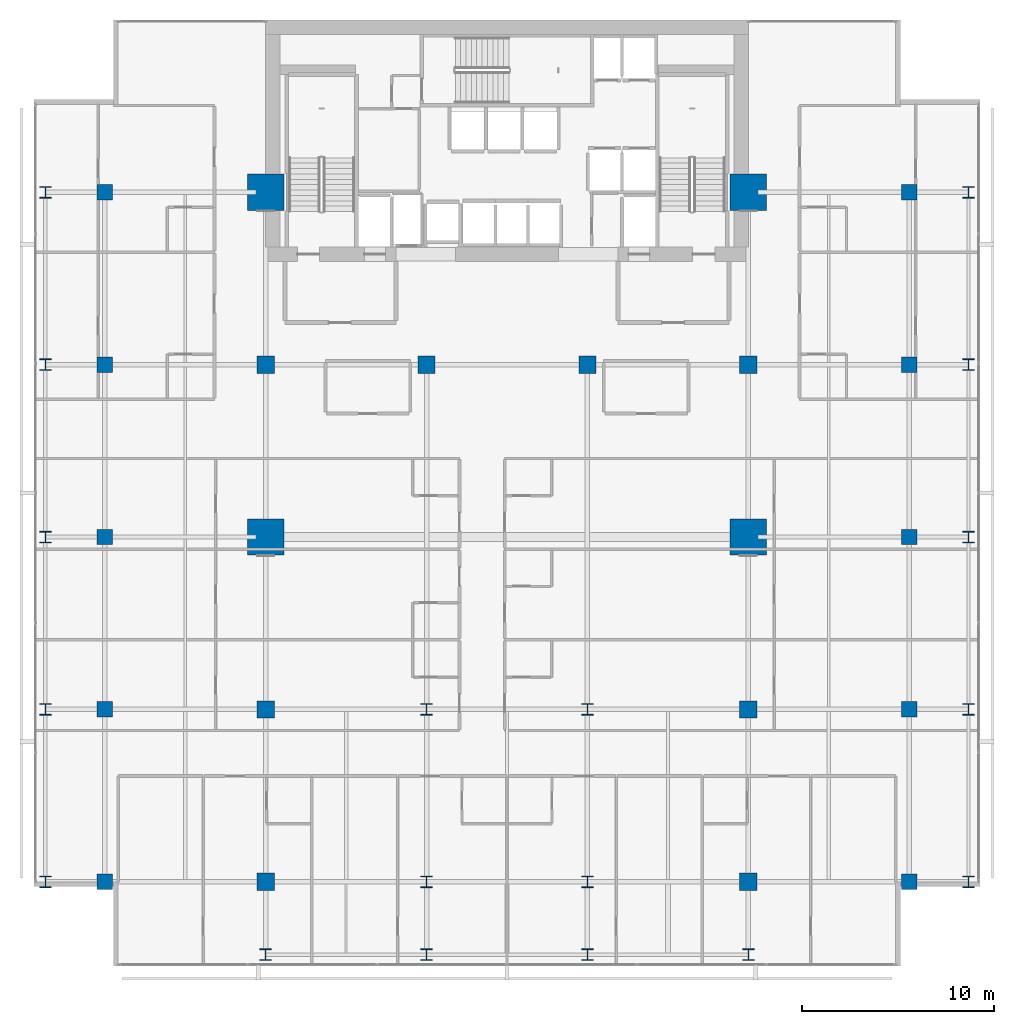
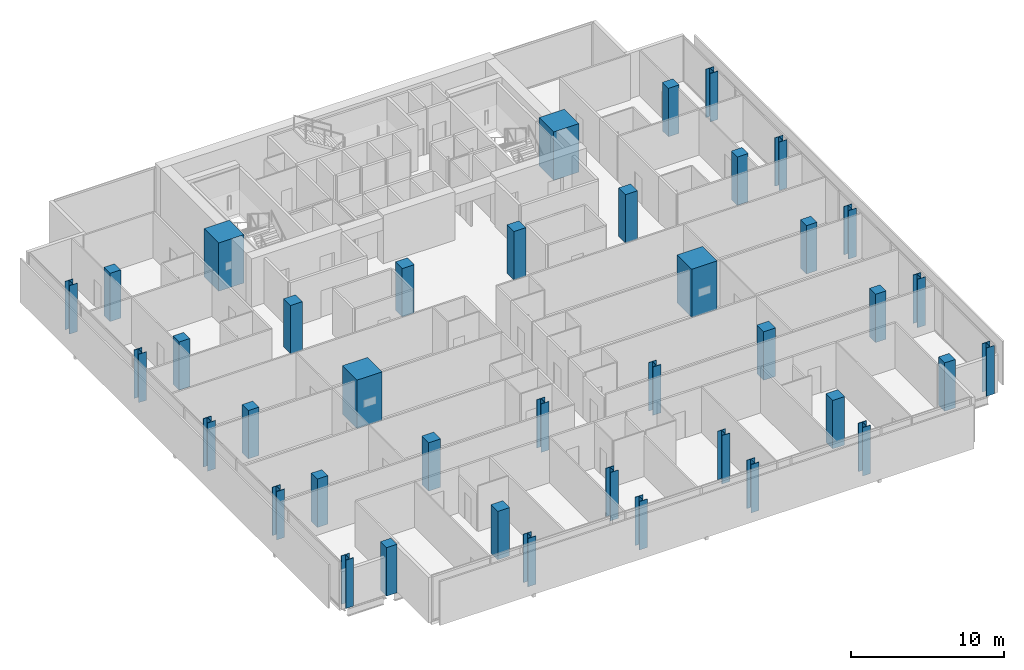
# One storey, part 1 of 33: 40 columns.
"""IFC4 building model written with IfcOpenShell, lengths in metres."""

from ifc_helpers import new_model, si_unit, direction, frame, origin, origin_2d, place, context, subcontext, project, spatial, rectangle, i_section, extrude, material, material_profile, profile_set, type_object, element, save


model = new_model("IFC4")

# Units and contexts
model_context = context("Model", 3, precision=1e-05, world=origin(), true_north=direction((0.0, 1.0)))
body_context = subcontext(model_context, "Body", "Model", "MODEL_VIEW")
ifc_project = project(units=[si_unit("LENGTHUNIT", "METRE"), si_unit("AREAUNIT", "SQUARE_METRE"), si_unit("VOLUMEUNIT", "CUBIC_METRE"), si_unit("PLANEANGLEUNIT", "RADIAN"), si_unit("MASSUNIT", "GRAM", prefix="KILO")], contexts=[model_context])

# Site, building, storey
site_placement = place(None, origin())
site = spatial("IfcSite", under=ifc_project, at=site_placement, CompositionType="ELEMENT")
building_placement = place(site_placement, origin())
building = spatial("IfcBuilding", under=site, at=building_placement, Name="Maruvema Waterfront Hotel and Observation Tower", CompositionType="ELEMENT")
storey_placement = place(building_placement, frame((0.0, 0.0, 142.800048828125)))
storey = spatial("IfcBuildingStorey", under=building, at=storey_placement, Name="L34", CompositionType="ELEMENT", Elevation=142.800048828125)

# Columns
ifc_material_1 = material(Name="Concrete C80/95", Category="concrete")
ifc_material_profile_1 = material_profile(ifc_material_1, rectangle(XDim=1.89990234375, YDim=1.89990234375, at=origin_2d()), Name="MC1900x1900")
ifc_profile_set_1 = profile_set([ifc_material_profile_1], Name="Concrete C80/95")
column_type_1 = type_object("IfcColumnType", Name="Continuous Mega-Column MC1900x1900", PredefinedType="COLUMN", material=ifc_profile_set_1)
for number, where, z_axis, x_axis, name in (
    (1, (25.199951171875, 27.0, 0.0), (0.0, 0.0, 1.0), (1.0, 0.0, 0.0), "L34 Continuous Mega-Column MC-01"),
    (2, (50.39990234375, 27.0, 0.0), (0.0, 0.0, 1.0), (1.0, 0.0, 0.0), "L34 Continuous Mega-Column MC-02"),
    (3, (25.199951171875, 45.0, 0.0), (0.0, 0.0, 1.0), (1.0, 0.0, 0.0), "L34 Continuous Mega-Column MC-03"),
    (4, (50.39990234375, 45.0, 0.0), (0.0, 0.0, 1.0), (1.0, 0.0, 0.0), "L34 Continuous Mega-Column MC-04"),
):
    element("IfcColumn", number, at=place(storey_placement, frame(where, z_axis=z_axis, x_axis=x_axis)), inside=storey, type_object=column_type_1, Name=name, PredefinedType="COLUMN", context=body_context, shape_type="SweptSolid", body=[
        extrude(rectangle(XDim=1.89990234375, YDim=1.89990234375, at=origin_2d()), origin(), (0.0, 0.0, 1.0), 3.849853515625),
    ])
ifc_material_2 = material(Name="Concrete C60/75", Category="concrete")
ifc_material_profile_2 = material_profile(ifc_material_2, rectangle(XDim=0.800048828125, YDim=0.800048828125, at=origin_2d()), Name="RC800x800")
ifc_profile_set_2 = profile_set([ifc_material_profile_2], Name="Concrete C60/75")
column_type_2 = type_object("IfcColumnType", Name="Reinforced Concrete Column RC800x800", PredefinedType="COLUMN", material=ifc_profile_set_2)
for number, where, z_axis, x_axis, name in (
    (5, (16.800048828125, 9.0, 0.0), (0.0, 0.0, 1.0), (1.0, 0.0, 0.0), "L34 Column C-3Y9"),
    (6, (58.800048828125, 9.0, 0.0), (0.0, 0.0, 1.0), (1.0, 0.0, 0.0), "L34 Column C-8Y9"),
    (7, (16.800048828125, 18.0, 0.0), (0.0, 0.0, 1.0), (1.0, 0.0, 0.0), "L34 Column C-3Y18"),
    (8, (58.800048828125, 18.0, 0.0), (0.0, 0.0, 1.0), (1.0, 0.0, 0.0), "L34 Column C-8Y18"),
    (9, (16.800048828125, 27.0, 0.0), (0.0, 0.0, 1.0), (1.0, 0.0, 0.0), "L34 Column C-3Y27"),
    (10, (58.800048828125, 27.0, 0.0), (0.0, 0.0, 1.0), (1.0, 0.0, 0.0), "L34 Column C-8Y27"),
    (11, (16.800048828125, 36.0, 0.0), (0.0, 0.0, 1.0), (1.0, 0.0, 0.0), "L34 Column C-3Y36"),
    (12, (58.800048828125, 36.0, 0.0), (0.0, 0.0, 1.0), (1.0, 0.0, 0.0), "L34 Column C-8Y36"),
    (13, (16.800048828125, 45.0, 0.0), (0.0, 0.0, 1.0), (1.0, 0.0, 0.0), "L34 Column C-3Y45"),
    (14, (58.800048828125, 45.0, 0.0), (0.0, 0.0, 1.0), (1.0, 0.0, 0.0), "L34 Column C-8Y45"),
):
    element("IfcColumn", number, at=place(storey_placement, frame(where, z_axis=z_axis, x_axis=x_axis)), inside=storey, type_object=column_type_2, Name=name, PredefinedType="COLUMN", context=body_context, shape_type="SweptSolid", body=[
        extrude(rectangle(XDim=0.800048828125, YDim=0.800048828125, at=origin_2d()), origin(), (0.0, 0.0, 1.0), 3.849853515625),
    ])
ifc_material_3 = material(Name="Concrete C60/75", Category="concrete")
ifc_material_profile_3 = material_profile(ifc_material_3, rectangle(XDim=0.89990234375, YDim=0.89990234375, at=origin_2d()), Name="RC900x900")
ifc_profile_set_3 = profile_set([ifc_material_profile_3], Name="Concrete C60/75")
column_type_3 = type_object("IfcColumnType", Name="Reinforced Concrete Column RC900x900", PredefinedType="COLUMN", material=ifc_profile_set_3)
for number, where, z_axis, x_axis, name in (
    (15, (25.199951171875, 36.0, 0.0), (0.0, 0.0, 1.0), (1.0, 0.0, 0.0), "L34 Column C-4E"),
    (16, (33.60009765625, 36.0, 0.0), (0.0, 0.0, 1.0), (1.0, 0.0, 0.0), "L34 Column C-5E"),
    (17, (42.0, 36.0, 0.0), (0.0, 0.0, 1.0), (1.0, 0.0, 0.0), "L34 Column C-6E"),
    (18, (50.39990234375, 36.0, 0.0), (0.0, 0.0, 1.0), (1.0, 0.0, 0.0), "L34 Column C-7E"),
    (19, (25.199951171875, 18.0, 0.0), (0.0, 0.0, 1.0), (1.0, 0.0, 0.0), "L34 Column C-4C"),
    (20, (50.39990234375, 18.0, 0.0), (0.0, 0.0, 1.0), (1.0, 0.0, 0.0), "L34 Column C-7C"),
    (21, (25.199951171875, 9.0, 0.0), (0.0, 0.0, 1.0), (1.0, 0.0, 0.0), "L34 Column C-4B"),
    (22, (50.39990234375, 9.0, 0.0), (0.0, 0.0, 1.0), (1.0, 0.0, 0.0), "L34 Column C-7B"),
):
    element("IfcColumn", number, at=place(storey_placement, frame(where, z_axis=z_axis, x_axis=x_axis)), inside=storey, type_object=column_type_3, Name=name, PredefinedType="COLUMN", context=body_context, shape_type="SweptSolid", body=[
        extrude(rectangle(XDim=0.89990234375, YDim=0.89990234375, at=origin_2d()), origin(), (0.0, 0.0, 1.0), 3.849853515625),
    ])
ifc_material_4 = material(Name="Steel ABNT NBR 7007 AR 415 (ASTM A572 Grade 50)", Category="steel")
ifc_material_profile_4 = material_profile(ifc_material_4, i_section(OverallWidth=0.60009765625, OverallDepth=0.60009765625, WebThickness=0.02490234375, FlangeThickness=0.0380859375, at=origin_2d()), Name="CVS600x317")
ifc_profile_set_4 = profile_set([ifc_material_profile_4], Name="Steel ABNT NBR 7007 AR 415 (ASTM A572 Grade 50)")
column_type_4 = type_object("IfcColumnType", Name="Structural Steel Column CVS600x317", PredefinedType="COLUMN", material=ifc_profile_set_4)
for number, where, z_axis, x_axis, name in (
    (23, (33.60009765625, 9.0, 0.0), (0.0, 0.0, 1.0), (1.0, 0.0, 0.0), "L34 Column C-5B"),
    (24, (42.0, 9.0, 0.0), (0.0, 0.0, 1.0), (1.0, 0.0, 0.0), "L34 Column C-6B"),
    (25, (33.60009765625, 18.0, 0.0), (0.0, 0.0, 1.0), (1.0, 0.0, 0.0), "L34 Column C-5C"),
    (26, (42.0, 18.0, 0.0), (0.0, 0.0, 1.0), (1.0, 0.0, 0.0), "L34 Column C-6C"),
    (27, (13.699951171875, 9.0, 0.0), (0.0, 0.0, 1.0), (1.0, 0.0, 0.0), "L34 Column C-Z2W9"),
    (28, (61.89990234375, 9.0, 0.0), (0.0, 0.0, 1.0), (1.0, 0.0, 0.0), "L34 Column C-Z2E9"),
    (29, (13.699951171875, 18.0, 0.0), (0.0, 0.0, 1.0), (1.0, 0.0, 0.0), "L34 Column C-Z2W18"),
    (30, (61.89990234375, 18.0, 0.0), (0.0, 0.0, 1.0), (1.0, 0.0, 0.0), "L34 Column C-Z2E18"),
    (31, (13.699951171875, 27.0, 0.0), (0.0, 0.0, 1.0), (1.0, 0.0, 0.0), "L34 Column C-Z2W27"),
    (32, (61.89990234375, 27.0, 0.0), (0.0, 0.0, 1.0), (1.0, 0.0, 0.0), "L34 Column C-Z2E27"),
    (33, (13.699951171875, 36.0, 0.0), (0.0, 0.0, 1.0), (1.0, 0.0, 0.0), "L34 Column C-Z2W36"),
    (34, (61.89990234375, 36.0, 0.0), (0.0, 0.0, 1.0), (1.0, 0.0, 0.0), "L34 Column C-Z2E36"),
    (35, (13.699951171875, 45.0, 0.0), (0.0, 0.0, 1.0), (1.0, 0.0, 0.0), "L34 Column C-Z2W45"),
    (36, (61.89990234375, 45.0, 0.0), (0.0, 0.0, 1.0), (1.0, 0.0, 0.0), "L34 Column C-Z2E45"),
    (37, (25.199951171875, 5.199951171875, 0.0), (0.0, 0.0, 1.0), (1.0, 0.0, 0.0), "L34 Column C-Z2S4"),
    (38, (33.60009765625, 5.199951171875, 0.0), (0.0, 0.0, 1.0), (1.0, 0.0, 0.0), "L34 Column C-Z2S5"),
    (39, (42.0, 5.199951171875, 0.0), (0.0, 0.0, 1.0), (1.0, 0.0, 0.0), "L34 Column C-Z2S6"),
    (40, (50.39990234375, 5.199951171875, 0.0), (0.0, 0.0, 1.0), (1.0, 0.0, 0.0), "L34 Column C-Z2S7"),
):
    element("IfcColumn", number, at=place(storey_placement, frame(where, z_axis=z_axis, x_axis=x_axis)), inside=storey, type_object=column_type_4, Name=name, PredefinedType="COLUMN", context=body_context, shape_type="SweptSolid", body=[
        extrude(i_section(OverallWidth=0.60009765625, OverallDepth=0.60009765625, WebThickness=0.02490234375, FlangeThickness=0.0380859375, at=origin_2d()), origin(), (0.0, 0.0, 1.0), 3.849853515625),
    ])

save(model, "model.ifc")
